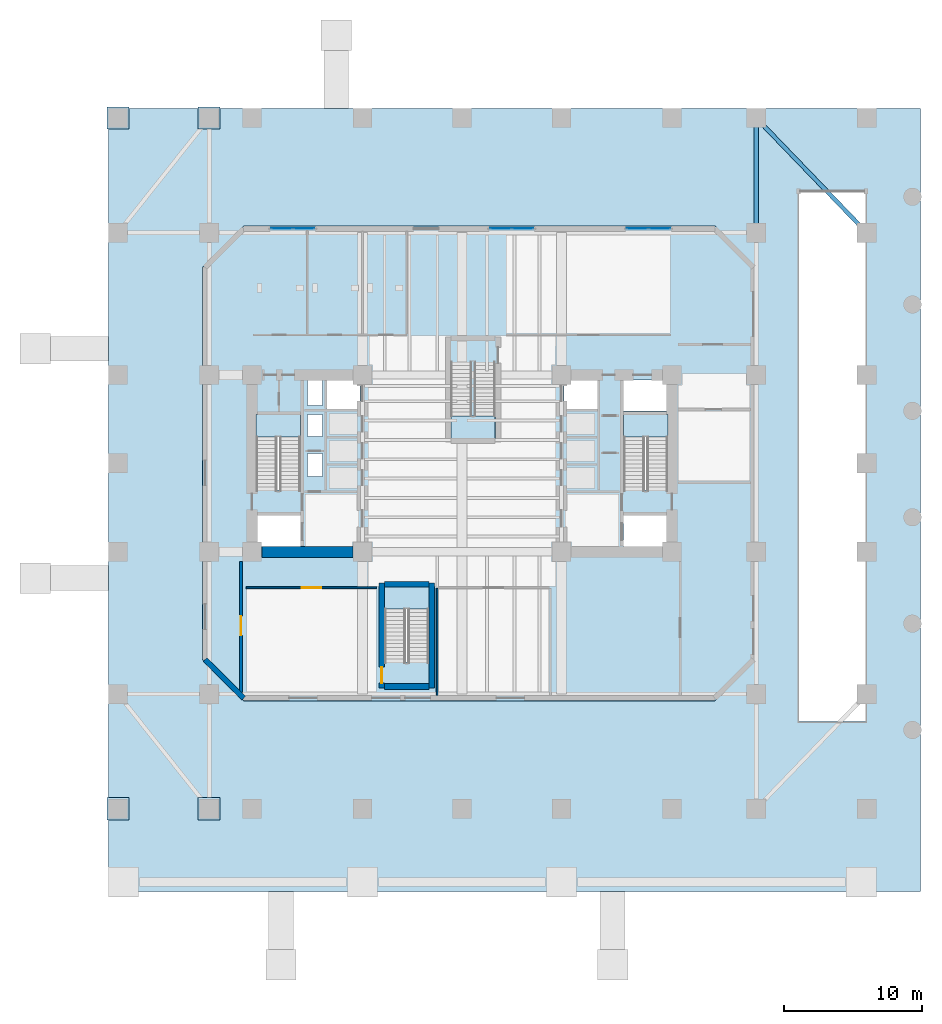
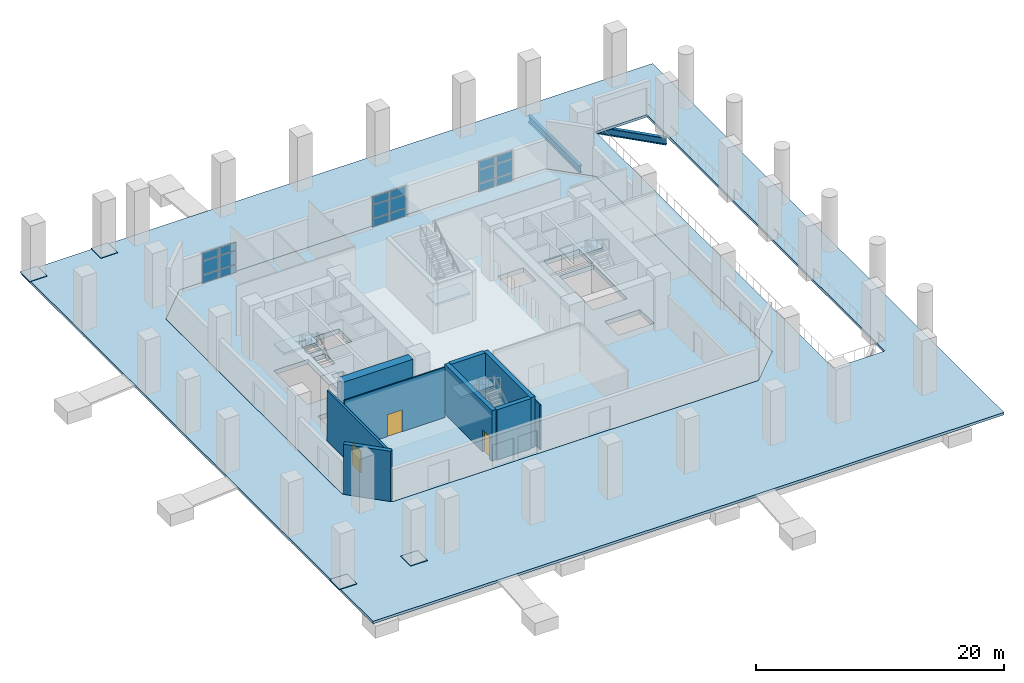
# One storey, part 3 of 12: 22 plates, 9 walls, 6 slabs, 3 doors, 2 beams, 3 openings, 7 elements without a shape of their own.
"""IFC4 building model written with IfcOpenShell, lengths in metres."""

from ifc_helpers import new_model, si_unit, direction, frame, frame_2d, origin, origin_2d, place, context, subcontext, project, spatial, polyline, rectangle, i_section, outline, extrude, material, layer, layer_set, material_profile, profile_set, type_object, element, fill, aggregate, save


model = new_model("IFC4")

# Units and contexts
model_context = context("Model", 3, precision=1e-05, world=origin(), true_north=direction((0.0, 1.0)))
body_context = subcontext(model_context, "Body", "Model", "MODEL_VIEW")
ifc_project = project(units=[si_unit("LENGTHUNIT", "METRE"), si_unit("AREAUNIT", "SQUARE_METRE"), si_unit("VOLUMEUNIT", "CUBIC_METRE"), si_unit("PLANEANGLEUNIT", "RADIAN"), si_unit("MASSUNIT", "GRAM", prefix="KILO")], contexts=[model_context])

# Site, building, storey
site_placement = place(None, origin())
site = spatial("IfcSite", under=ifc_project, at=site_placement, CompositionType="ELEMENT")
building_placement = place(site_placement, origin())
building = spatial("IfcBuilding", under=site, at=building_placement, Name="Kranthara Brick Stack", CompositionType="ELEMENT")
storey_placement = place(building_placement, origin())
storey = spatial("IfcBuildingStorey", under=building, at=storey_placement, Name="L00", CompositionType="ELEMENT", Elevation=0.0)

# Beams
ifc_material_1 = material(Name="Steel S355", Category="steel")
ifc_material_profile = material_profile(ifc_material_1, i_section(OverallWidth=0.300048828125, OverallDepth=0.699951171875, WebThickness=0.01708984375, FlangeThickness=0.031982421875, at=origin_2d()), Name="HEB 700")
ifc_profile_set = profile_set([ifc_material_profile], Name="Steel S355")
beam_type = type_object("IfcBeamType", Name="BM-STL-HEB700", PredefinedType="BEAM", material=ifc_profile_set)
beam_1_placement = place(storey_placement, frame((49.300048828125, 43.89990234375, -0.800048828125), z_axis=(0.0, 1.0, 0.0), x_axis=(-1.0, 0.0, 0.0)))
element("IfcBeam", 1, at=beam_1_placement, inside=storey, type_object=beam_type, Name="L00 Perimeter Spandrel Beam 018", PredefinedType="BEAM", context=body_context, shape_type="SweptSolid", body=[
    extrude(i_section(OverallWidth=0.300048828125, OverallDepth=0.699951171875, WebThickness=0.01708984375, FlangeThickness=0.031982421875, at=origin_2d()), origin(), (0.0, 0.0, 1.0), 8.300048828125),
])
beam_2_placement = place(storey_placement, frame((57.300048828125, 43.89990234375, -0.800048828125), z_axis=(-0.693972900726, 0.720001120178, 0.0), x_axis=(-0.720001120178, -0.693972900726, 0.0)))
element("IfcBeam", 2, at=beam_2_placement, inside=storey, type_object=beam_type, Name="L00 Chamfer Corner Spandrel 022", PredefinedType="BEAM", context=body_context, shape_type="SweptSolid", body=[
    extrude(i_section(OverallWidth=0.300048828125, OverallDepth=0.699951171875, WebThickness=0.01708984375, FlangeThickness=0.031982421875, at=origin_2d()), origin(), (0.0, 0.0, 1.0), 11.52783203125),
])

# Curtain wall, plates
ifc_material_2 = material(Name="Bronze anodised aluminium and low-E glass", Category="aluminium")
ifc_layer_1 = layer(ifc_material_2, 0.25)
ifc_layer_set_1 = layer_set([ifc_layer_1], Name="Bronze anodised aluminium and low-E glass")
curtain_wall_type = type_object("IfcCurtainWallType", Name="CW-SYS1-CONCOURSE", PredefinedType="USERDEFINED", material=ifc_layer_set_1)
curtain_wall_1_placement = place(storey_placement, origin())
curtain_wall_1 = element("IfcCurtainWall", 3, at=curtain_wall_1_placement, inside=storey, type_object=curtain_wall_type, Name="L00 Curtain Wall CW1-L00-01", ObjectType="UNITISED CURTAIN WALL", PredefinedType="USERDEFINED")
ifc_material_3 = material(Name="Triple-laminated acoustic low-E glass", Category="glass")
ifc_layer_2 = layer(ifc_material_3, 0.035888671875)
ifc_layer_set_2 = layer_set([ifc_layer_2], Name="Triple-laminated acoustic low-E glass")
plate_type_1 = type_object("IfcPlateType", Name="CWP-GLZ-36", PredefinedType="CURTAIN_PANEL", material=ifc_layer_set_2)
plate_1_placement = place(storey_placement, frame((14.945068359375, 44.18994140625, 0.080078125), z_axis=(0.0, 0.0, 1.0), x_axis=(1.0, 0.0, 0.0)))
plate_1 = element("IfcPlate", 4, at=plate_1_placement, type_object=plate_type_1, Name="CW panel 1.1", PredefinedType="CURTAIN_PANEL", context=body_context, shape_type="SweptSolid", body=[
    extrude(rectangle(XDim=1.530029296875, YDim=0.035888671875, at=origin_2d()), origin(), (0.0, 0.0, 1.0), 0.7578125),
])
plate_2_placement = place(storey_placement, frame((14.945068359375, 44.18994140625, 0.917724609375), z_axis=(0.0, 0.0, 1.0), x_axis=(1.0, 0.0, 0.0)))
plate_2 = element("IfcPlate", 5, at=plate_2_placement, type_object=plate_type_1, Name="CW panel 1.2", PredefinedType="CURTAIN_PANEL", context=body_context, shape_type="SweptSolid", body=[
    extrude(rectangle(XDim=1.530029296875, YDim=0.035888671875, at=origin_2d()), origin(), (0.0, 0.0, 1.0), 1.29931640625),
])
plate_3_placement = place(storey_placement, frame((14.945068359375, 44.18994140625, 2.297119140625), z_axis=(0.0, 0.0, 1.0), x_axis=(1.0, 0.0, 0.0)))
plate_3 = element("IfcPlate", 6, at=plate_3_placement, type_object=plate_type_1, Name="CW panel 1.3", PredefinedType="CURTAIN_PANEL", context=body_context, shape_type="SweptSolid", body=[
    extrude(rectangle(XDim=1.530029296875, YDim=0.035888671875, at=origin_2d()), origin(), (0.0, 0.0, 1.0), 0.7578125),
])
plate_4_placement = place(storey_placement, frame((16.554931640625, 44.18994140625, 0.080078125), z_axis=(0.0, 0.0, 1.0), x_axis=(1.0, 0.0, 0.0)))
plate_4 = element("IfcPlate", 7, at=plate_4_placement, type_object=plate_type_1, Name="CW panel 2.1", PredefinedType="CURTAIN_PANEL", context=body_context, shape_type="SweptSolid", body=[
    extrude(rectangle(XDim=1.530029296875, YDim=0.035888671875, at=origin_2d()), origin(), (0.0, 0.0, 1.0), 0.7578125),
])
plate_5_placement = place(storey_placement, frame((16.554931640625, 44.18994140625, 0.917724609375), z_axis=(0.0, 0.0, 1.0), x_axis=(1.0, 0.0, 0.0)))
plate_5 = element("IfcPlate", 8, at=plate_5_placement, type_object=plate_type_1, Name="CW panel 2.2", PredefinedType="CURTAIN_PANEL", context=body_context, shape_type="SweptSolid", body=[
    extrude(rectangle(XDim=1.530029296875, YDim=0.035888671875, at=origin_2d()), origin(), (0.0, 0.0, 1.0), 1.29931640625),
])
plate_6_placement = place(storey_placement, frame((16.554931640625, 44.18994140625, 2.297119140625), z_axis=(0.0, 0.0, 1.0), x_axis=(1.0, 0.0, 0.0)))
plate_6 = element("IfcPlate", 9, at=plate_6_placement, type_object=plate_type_1, Name="CW panel 2.3", PredefinedType="CURTAIN_PANEL", context=body_context, shape_type="SweptSolid", body=[
    extrude(rectangle(XDim=1.530029296875, YDim=0.035888671875, at=origin_2d()), origin(), (0.0, 0.0, 1.0), 0.7578125),
])
aggregate(curtain_wall_1, [plate_1, plate_2, plate_3, plate_4, plate_5, plate_6])

curtain_wall_2_placement = place(storey_placement, origin())
curtain_wall_2 = element("IfcCurtainWall", 10, at=curtain_wall_2_placement, inside=storey, type_object=curtain_wall_type, Name="L00 Curtain Wall CW1-L00-02", ObjectType="UNITISED CURTAIN WALL", PredefinedType="USERDEFINED")
plate_7_placement = place(storey_placement, frame((30.794921875, 44.18994140625, 0.080078125), z_axis=(0.0, 0.0, 1.0), x_axis=(1.0, 0.0, 0.0)))
plate_7 = element("IfcPlate", 11, at=plate_7_placement, type_object=plate_type_1, Name="CW panel 1.1", PredefinedType="CURTAIN_PANEL", context=body_context, shape_type="SweptSolid", body=[
    extrude(rectangle(XDim=1.530029296875, YDim=0.035888671875, at=origin_2d()), origin(), (0.0, 0.0, 1.0), 0.7578125),
])
plate_8_placement = place(storey_placement, frame((30.794921875, 44.18994140625, 0.917724609375), z_axis=(0.0, 0.0, 1.0), x_axis=(1.0, 0.0, 0.0)))
plate_8 = element("IfcPlate", 12, at=plate_8_placement, type_object=plate_type_1, Name="CW panel 1.2", PredefinedType="CURTAIN_PANEL", context=body_context, shape_type="SweptSolid", body=[
    extrude(rectangle(XDim=1.530029296875, YDim=0.035888671875, at=origin_2d()), origin(), (0.0, 0.0, 1.0), 1.29931640625),
])
plate_9_placement = place(storey_placement, frame((30.794921875, 44.18994140625, 2.297119140625), z_axis=(0.0, 0.0, 1.0), x_axis=(1.0, 0.0, 0.0)))
plate_9 = element("IfcPlate", 13, at=plate_9_placement, type_object=plate_type_1, Name="CW panel 1.3", PredefinedType="CURTAIN_PANEL", context=body_context, shape_type="SweptSolid", body=[
    extrude(rectangle(XDim=1.530029296875, YDim=0.035888671875, at=origin_2d()), origin(), (0.0, 0.0, 1.0), 0.7578125),
])
plate_10_placement = place(storey_placement, frame((32.405029296875, 44.18994140625, 0.080078125), z_axis=(0.0, 0.0, 1.0), x_axis=(1.0, 0.0, 0.0)))
plate_10 = element("IfcPlate", 14, at=plate_10_placement, type_object=plate_type_1, Name="CW panel 2.1", PredefinedType="CURTAIN_PANEL", context=body_context, shape_type="SweptSolid", body=[
    extrude(rectangle(XDim=1.530029296875, YDim=0.035888671875, at=origin_2d()), origin(), (0.0, 0.0, 1.0), 0.7578125),
])
plate_11_placement = place(storey_placement, frame((32.405029296875, 44.18994140625, 0.917724609375), z_axis=(0.0, 0.0, 1.0), x_axis=(1.0, 0.0, 0.0)))
plate_11 = element("IfcPlate", 15, at=plate_11_placement, type_object=plate_type_1, Name="CW panel 2.2", PredefinedType="CURTAIN_PANEL", context=body_context, shape_type="SweptSolid", body=[
    extrude(rectangle(XDim=1.530029296875, YDim=0.035888671875, at=origin_2d()), origin(), (0.0, 0.0, 1.0), 1.29931640625),
])
plate_12_placement = place(storey_placement, frame((32.405029296875, 44.18994140625, 2.297119140625), z_axis=(0.0, 0.0, 1.0), x_axis=(1.0, 0.0, 0.0)))
plate_12 = element("IfcPlate", 16, at=plate_12_placement, type_object=plate_type_1, Name="CW panel 2.3", PredefinedType="CURTAIN_PANEL", context=body_context, shape_type="SweptSolid", body=[
    extrude(rectangle(XDim=1.530029296875, YDim=0.035888671875, at=origin_2d()), origin(), (0.0, 0.0, 1.0), 0.7578125),
])
aggregate(curtain_wall_2, [plate_7, plate_8, plate_9, plate_10, plate_11, plate_12])

curtain_wall_3_placement = place(storey_placement, origin())
curtain_wall_3 = element("IfcCurtainWall", 17, at=curtain_wall_3_placement, inside=storey, type_object=curtain_wall_type, Name="L00 Curtain Wall CW1-L00-03", ObjectType="UNITISED CURTAIN WALL", PredefinedType="USERDEFINED")
plate_13_placement = place(storey_placement, frame((40.695068359375, 44.18994140625, 0.080078125), z_axis=(0.0, 0.0, 1.0), x_axis=(1.0, 0.0, 0.0)))
plate_13 = element("IfcPlate", 18, at=plate_13_placement, type_object=plate_type_1, Name="CW panel 1.1", PredefinedType="CURTAIN_PANEL", context=body_context, shape_type="SweptSolid", body=[
    extrude(rectangle(XDim=1.530029296875, YDim=0.035888671875, at=origin_2d()), origin(), (0.0, 0.0, 1.0), 0.7578125),
])
plate_14_placement = place(storey_placement, frame((40.695068359375, 44.18994140625, 0.917724609375), z_axis=(0.0, 0.0, 1.0), x_axis=(1.0, 0.0, 0.0)))
plate_14 = element("IfcPlate", 19, at=plate_14_placement, type_object=plate_type_1, Name="CW panel 1.2", PredefinedType="CURTAIN_PANEL", context=body_context, shape_type="SweptSolid", body=[
    extrude(rectangle(XDim=1.530029296875, YDim=0.035888671875, at=origin_2d()), origin(), (0.0, 0.0, 1.0), 1.29931640625),
])
plate_15_placement = place(storey_placement, frame((40.695068359375, 44.18994140625, 2.297119140625), z_axis=(0.0, 0.0, 1.0), x_axis=(1.0, 0.0, 0.0)))
plate_15 = element("IfcPlate", 20, at=plate_15_placement, type_object=plate_type_1, Name="CW panel 1.3", PredefinedType="CURTAIN_PANEL", context=body_context, shape_type="SweptSolid", body=[
    extrude(rectangle(XDim=1.530029296875, YDim=0.035888671875, at=origin_2d()), origin(), (0.0, 0.0, 1.0), 0.7578125),
])
plate_16_placement = place(storey_placement, frame((42.304931640625, 44.18994140625, 0.080078125), z_axis=(0.0, 0.0, 1.0), x_axis=(1.0, 0.0, 0.0)))
plate_16 = element("IfcPlate", 21, at=plate_16_placement, type_object=plate_type_1, Name="CW panel 2.1", PredefinedType="CURTAIN_PANEL", context=body_context, shape_type="SweptSolid", body=[
    extrude(rectangle(XDim=1.530029296875, YDim=0.035888671875, at=origin_2d()), origin(), (0.0, 0.0, 1.0), 0.7578125),
])
plate_17_placement = place(storey_placement, frame((42.304931640625, 44.18994140625, 0.917724609375), z_axis=(0.0, 0.0, 1.0), x_axis=(1.0, 0.0, 0.0)))
plate_17 = element("IfcPlate", 22, at=plate_17_placement, type_object=plate_type_1, Name="CW panel 2.2", PredefinedType="CURTAIN_PANEL", context=body_context, shape_type="SweptSolid", body=[
    extrude(rectangle(XDim=1.530029296875, YDim=0.035888671875, at=origin_2d()), origin(), (0.0, 0.0, 1.0), 1.29931640625),
])
plate_18_placement = place(storey_placement, frame((42.304931640625, 44.18994140625, 2.297119140625), z_axis=(0.0, 0.0, 1.0), x_axis=(1.0, 0.0, 0.0)))
plate_18 = element("IfcPlate", 23, at=plate_18_placement, type_object=plate_type_1, Name="CW panel 2.3", PredefinedType="CURTAIN_PANEL", context=body_context, shape_type="SweptSolid", body=[
    extrude(rectangle(XDim=1.530029296875, YDim=0.035888671875, at=origin_2d()), origin(), (0.0, 0.0, 1.0), 0.7578125),
])
aggregate(curtain_wall_3, [plate_13, plate_14, plate_15, plate_16, plate_17, plate_18])

# Plates
ifc_material_4 = material(Name="Steel S355", Category="steel")
ifc_layer_3 = layer(ifc_material_4, 0.034912109375)
ifc_layer_set_3 = layer_set([ifc_layer_3], Name="Steel S355")
plate_type_2 = type_object("IfcPlateType", Name="PLT-BASE-35", PredefinedType="USERDEFINED", material=ifc_layer_set_3)
for number, where, z_axis, x_axis, name in (
    (24, (3.10009765625, 2.199951171875, 0.0), (0.0, 0.0, 1.0), (1.0, 0.0, 0.0), "L00 Mega-Stilt Base Plate 09"),
    (25, (3.10009765625, 52.199951171875, 0.0), (0.0, 0.0, 1.0), (1.0, 0.0, 0.0), "L00 Mega-Stilt Base Plate 10"),
    (26, (9.699951171875, 2.199951171875, 0.0), (0.0, 0.0, 1.0), (1.0, 0.0, 0.0), "L00 Mega-Stilt Base Plate 11"),
    (27, (9.699951171875, 52.199951171875, 0.0), (0.0, 0.0, 1.0), (1.0, 0.0, 0.0), "L00 Mega-Stilt Base Plate 12"),
):
    element("IfcPlate", number, at=place(storey_placement, frame(where, z_axis=z_axis, x_axis=x_axis)), inside=storey, type_object=plate_type_2, Name=name, ObjectType="BASE PLATE", PredefinedType="USERDEFINED", context=body_context, shape_type="SweptSolid", body=[
        extrude(rectangle(XDim=1.60009765625, YDim=1.60009765625, at=origin_2d()), origin(), (0.0, 0.0, 1.0), 0.034912109375),
    ])

# Stair, slab
ifc_material_5 = material(Name="Concrete C45/55", Category="concrete")
stair_type = type_object("IfcStairType", Name="ST-CORE-30R", PredefinedType="HALF_TURN_STAIR", material=ifc_material_5)
stair_1_placement = place(storey_placement, origin())
stair_1 = element("IfcStair", 28, at=stair_1_placement, inside=storey, type_object=stair_type, Name="L00 West Core Protected Exit Stair ST01", PredefinedType="HALF_TURN_STAIR")
ifc_material_6 = material(Name="Concrete C45/55", Category="concrete")
ifc_layer_4 = layer(ifc_material_6, 0.199951171875)
ifc_layer_set_4 = layer_set([ifc_layer_4], Name="Concrete C45/55")
slab_type_1 = type_object("IfcSlabType", Name="SLB-LANDING-200", PredefinedType="LANDING", material=ifc_layer_set_4)
slab_1_placement = place(storey_placement, frame((0.0, 0.0, 2.5)))
slab_1 = element("IfcSlab", 29, at=slab_1_placement, type_object=slab_type_1, Name="ST01 landing 1", PredefinedType="LANDING", context=body_context, shape_type="SweptSolid", body=[
    extrude(outline(polyline([(16.300048828125, 29.1201171875), (16.300048828125, 30.75), (13.10009765625, 30.75), (13.10009765625, 29.1201171875), (16.300048828125, 29.1201171875)])), origin(), (0.0, 0.0, 1.0), 0.199951171875),
])
aggregate(stair_1, [slab_1])

stair_2_placement = place(storey_placement, origin())
stair_2 = element("IfcStair", 30, at=stair_2_placement, inside=storey, type_object=stair_type, Name="L00 East Core Protected Exit Stair ST02", PredefinedType="HALF_TURN_STAIR")
slab_2_placement = place(storey_placement, frame((0.0, 0.0, 2.5)))
slab_2 = element("IfcSlab", 31, at=slab_2_placement, type_object=slab_type_1, Name="ST02 landing 1", PredefinedType="LANDING", context=body_context, shape_type="SweptSolid", body=[
    extrude(outline(polyline([(42.89990234375, 29.1201171875), (42.89990234375, 30.75), (39.699951171875, 30.75), (39.699951171875, 29.1201171875), (42.89990234375, 29.1201171875)])), origin(), (0.0, 0.0, 1.0), 0.199951171875),
])
aggregate(stair_2, [slab_2])

stair_3_placement = place(storey_placement, origin())
stair_3 = element("IfcStair", 32, at=stair_3_placement, inside=storey, type_object=stair_type, Name="L00 Podium South Protected Exit Stair ST03", PredefinedType="HALF_TURN_STAIR")
slab_3_placement = place(storey_placement, frame((0.0, 0.0, 2.5)))
slab_3 = element("IfcSlab", 33, at=slab_3_placement, type_object=slab_type_1, Name="ST03 landing 1", PredefinedType="LANDING", context=body_context, shape_type="SweptSolid", body=[
    extrude(outline(polyline([(25.60009765625, 16.669921875), (25.60009765625, 18.300048828125), (22.39990234375, 18.300048828125), (22.39990234375, 16.669921875), (25.60009765625, 16.669921875)])), origin(), (0.0, 0.0, 1.0), 0.199951171875),
])
aggregate(stair_3, [slab_3])

stair_4_placement = place(storey_placement, origin())
stair_4 = element("IfcStair", 34, at=stair_4_placement, inside=storey, type_object=stair_type, Name="L00 Podium North Protected Exit Stair ST04", PredefinedType="HALF_TURN_STAIR")
slab_4_placement = place(storey_placement, frame((0.0, 0.0, 2.5)))
slab_4 = element("IfcSlab", 35, at=slab_4_placement, type_object=slab_type_1, Name="ST04 landing 1", PredefinedType="LANDING", context=body_context, shape_type="SweptSolid", body=[
    extrude(outline(polyline([(27.199951171875, 30.6298828125), (27.199951171875, 29.0), (30.39990234375, 29.0), (30.39990234375, 30.6298828125), (27.199951171875, 30.6298828125)])), origin(), (0.0, 0.0, 1.0), 0.199951171875),
])
aggregate(stair_4, [slab_4])

# Slabs
ifc_material_7 = material(Name="Concrete C40/50", Category="concrete")
ifc_layer_5 = layer(ifc_material_7, 0.25)
ifc_layer_set_5 = layer_set([ifc_layer_5], Name="Concrete C40/50")
slab_type_2 = type_object("IfcSlabType", Name="SLB-PLAZA-250", PredefinedType="BASESLAB", material=ifc_layer_set_5)
slab_5_placement = place(storey_placement, frame((0.0, 0.0, -0.25)))
element("IfcSlab", 36, at=slab_5_placement, inside=storey, type_object=slab_type_2, Name="L00 Open Stilts Public Plaza Slab", PredefinedType="BASESLAB", context=body_context, shape_type="SweptSolid", body=[
    extrude(outline(polyline([(2.39990234375, -3.800048828125), (61.199951171875, -3.800048828125), (61.199951171875, 52.89990234375), (2.39990234375, 52.89990234375), (2.39990234375, -3.800048828125)]), holes=[polyline([(12.199951171875, 10.0), (46.300048828125, 10.0), (49.300048828125, 13.0), (49.300048828125, 41.39990234375), (46.300048828125, 44.39990234375), (12.199951171875, 44.39990234375), (9.199951171875, 41.39990234375), (9.199951171875, 13.0), (12.199951171875, 10.0)]), polyline([(52.39990234375, 8.5), (57.199951171875, 8.5), (57.199951171875, 46.89990234375), (52.39990234375, 46.89990234375), (52.39990234375, 8.5)])]), origin(), (0.0, 0.0, 1.0), 0.25),
])
ifc_material_8 = material(Name="Post-tensioned concrete C50/60", Category="concrete")
ifc_layer_6 = layer(ifc_material_8, 0.449951171875)
ifc_layer_set_6 = layer_set([ifc_layer_6], Name="Post-tensioned concrete C50/60")
slab_type_3 = type_object("IfcSlabType", Name="SLB-TRANS-450", PredefinedType="FLOOR", material=ifc_layer_set_6)
slab_6_placement = place(storey_placement, frame((0.0, 0.0, -0.449951171875)))
element("IfcSlab", 37, at=slab_6_placement, inside=storey, type_object=slab_type_3, Name="L00 Structural Floor Plate", PredefinedType="FLOOR", context=body_context, shape_type="SweptSolid", body=[
    extrude(outline(polyline([(12.199951171875, 10.0), (46.300048828125, 10.0), (49.300048828125, 13.0), (49.300048828125, 41.39990234375), (46.300048828125, 44.39990234375), (12.199951171875, 44.39990234375), (9.199951171875, 41.39990234375), (9.199951171875, 13.0), (12.199951171875, 10.0)]), holes=[polyline([(13.10009765625, 25.280029296875), (16.300048828125, 25.280029296875), (16.300048828125, 30.75), (13.10009765625, 30.75), (13.10009765625, 25.280029296875)]), polyline([(39.699951171875, 25.280029296875), (42.89990234375, 25.280029296875), (42.89990234375, 30.75), (39.699951171875, 30.75), (39.699951171875, 25.280029296875)]), polyline([(22.39990234375, 12.830078125), (25.60009765625, 12.830078125), (25.60009765625, 18.300048828125), (22.39990234375, 18.300048828125), (22.39990234375, 12.830078125)]), polyline([(13.0, 21.179931640625), (16.320068359375, 21.179931640625), (16.320068359375, 23.419921875), (13.0, 23.419921875), (13.0, 21.179931640625)]), polyline([(39.679931640625, 21.179931640625), (43.0, 21.179931640625), (43.0, 23.419921875), (39.679931640625, 23.419921875), (39.679931640625, 21.179931640625)]), polyline([(39.679931640625, 30.97998046875), (43.0, 30.97998046875), (43.0, 33.219970703125), (39.679931640625, 33.219970703125), (39.679931640625, 30.97998046875)]), polyline([(18.199951171875, 31.14990234375), (20.60009765625, 31.14990234375), (20.60009765625, 33.219970703125), (18.199951171875, 33.219970703125), (18.199951171875, 31.14990234375)]), polyline([(35.39990234375, 31.14990234375), (37.800048828125, 31.14990234375), (37.800048828125, 33.219970703125), (35.39990234375, 33.219970703125), (35.39990234375, 31.14990234375)]), polyline([(16.800048828125, 26.25), (17.89990234375, 26.25), (17.89990234375, 27.89990234375), (16.800048828125, 27.89990234375), (16.800048828125, 26.25)]), polyline([(16.800048828125, 29.14990234375), (17.89990234375, 29.14990234375), (17.89990234375, 30.75), (16.800048828125, 30.75), (16.800048828125, 29.14990234375)]), polyline([(16.800048828125, 31.39990234375), (17.89990234375, 31.39990234375), (17.89990234375, 33.25), (16.800048828125, 33.25), (16.800048828125, 31.39990234375)])]), origin(), (0.0, 0.0, 1.0), 0.449951171875),
])

# Wall
ifc_material_9 = material(Name="Kiln-fired clay brick masonry M15", Category="masonry")
ifc_layer_7 = layer(ifc_material_9, 0.3798828125)
ifc_layer_set_7 = layer_set([ifc_layer_7], Name="Kiln-fired clay brick masonry M15")
wall_type_1 = type_object("IfcWallType", Name="WL-BRK-PIER-380", PredefinedType="STANDARD", material=ifc_layer_set_7)
wall_1_placement = place(storey_placement, frame((12.199951171875, 10.2099609375, 0.0), z_axis=(0.0, 0.0, 1.0), x_axis=(-0.707106781187, 0.707106781187, 0.0)))
element("IfcWall", 38, at=wall_1_placement, inside=storey, type_object=wall_type_1, Name="L00 Exterior Brick Facade Wall SW 1", PredefinedType="STANDARD", context=body_context, shape_type="SweptSolid", body=[
    extrude(rectangle(XDim=3.94580078125, YDim=0.3798828125, at=frame_2d((1.972900390625, 0.0))), origin(), (0.0, 0.0, 1.0), 4.949951171875),
])

# Wall, opening, door
ifc_material_10 = material(Name="Concrete C50/60", Category="concrete")
ifc_layer_8 = layer(ifc_material_10, 0.39990234375)
ifc_layer_set_8 = layer_set([ifc_layer_8], Name="Concrete C50/60")
wall_type_2 = type_object("IfcWallType", Name="WL-CORE-400", PredefinedType="SHEAR", material=ifc_layer_set_8)
wall_2_placement = place(storey_placement, frame((22.18994140625, 10.949951171875, 0.0), z_axis=(0.0, 0.0, 1.0), x_axis=(0.0, 1.0, 0.0)))
wall_2 = element("IfcWall", 39, at=wall_2_placement, inside=storey, type_object=wall_type_2, Name="L00 Stair ST03 Bearing Wall W", PredefinedType="SHEAR", context=body_context, shape_type="SweptSolid", body=[
    extrude(rectangle(XDim=7.60009765625, YDim=0.39990234375, at=frame_2d((3.800048828125, 0.0))), origin(), (0.0, 0.0, 1.0), 4.949951171875),
])
opening_1_placement = place(wall_2_placement, frame((0.35009765625, 0.0, 0.0)))
opening_1 = element("IfcOpeningElement", 40, at=opening_1_placement, cuts=wall_2, Name="Opening D05", PredefinedType="OPENING", context=body_context, shape_type="SweptSolid", body=[
    extrude(rectangle(XDim=1.14990234375, YDim=2.14990234375, at=frame_2d((0.574951171875, 1.074951171875))), frame((0.0, 0.2099609375, 0.0), z_axis=(0.0, -1.0, 0.0), x_axis=(1.0, 0.0, 0.0)), (0.0, 0.0, 1.0), 0.419921875),
])
ifc_material_11 = material(Name="Solid-core hardwood timber leaf in steel frame", Category="steel")
door_type_1 = type_object("IfcDoorType", Name="DR-ST-1150", OperationType="NOTDEFINED", PredefinedType="DOOR", material=ifc_material_11)
door_1_placement = place(opening_1_placement, origin())
door_1 = element("IfcDoor", 41, at=door_1_placement, inside=storey, type_object=door_type_1, Name="L00 Stair ST03 Door", OperationType="SINGLE_SWING_LEFT", OverallHeight=2.14990234375, OverallWidth=1.14990234375, PredefinedType="DOOR", context=body_context, shape_type="SweptSolid", body=[
    extrude(rectangle(XDim=1.14990234375, YDim=2.14990234375, at=frame_2d((0.574951171875, 1.074951171875))), frame((0.0, 0.02490234375, 0.0), z_axis=(0.0, -1.0, 0.0), x_axis=(1.0, 0.0, 0.0)), (0.0, 0.0, 1.0), 0.050048828125),
])
fill(opening_1, door_1)

# Walls
wall_3_placement = place(storey_placement, frame((25.81005859375, 10.949951171875, 0.0), z_axis=(0.0, 0.0, 1.0), x_axis=(0.0, 1.0, 0.0)))
element("IfcWall", 42, at=wall_3_placement, inside=storey, type_object=wall_type_2, Name="L00 Stair ST03 Bearing Wall E", PredefinedType="SHEAR", context=body_context, shape_type="SweptSolid", body=[
    extrude(rectangle(XDim=7.60009765625, YDim=0.39990234375, at=frame_2d((3.800048828125, 0.0))), origin(), (0.0, 0.0, 1.0), 4.949951171875),
])
for number, where, z_axis, x_axis, name in (
    (43, (22.39990234375, 11.050048828125, 0.0), (0.0, 0.0, 1.0), (1.0, 0.0, 0.0), "L00 Stair ST03 Bearing Wall S"),
    (44, (22.39990234375, 18.449951171875, 0.0), (0.0, 0.0, 1.0), (1.0, 0.0, 0.0), "L00 Stair ST03 Bearing Wall N"),
):
    element("IfcWall", number, at=place(storey_placement, frame(where, z_axis=z_axis, x_axis=x_axis)), inside=storey, type_object=wall_type_2, Name=name, PredefinedType="SHEAR", context=body_context, shape_type="SweptSolid", body=[
        extrude(rectangle(XDim=3.2001953125, YDim=0.39990234375, at=frame_2d((1.60009765625, 0.0))), origin(), (0.0, 0.0, 1.0), 4.949951171875),
    ])
ifc_material_12 = material(Name="Concrete C70/85", Category="concrete")
ifc_layer_9 = layer(ifc_material_12, 0.800048828125)
ifc_layer_set_9 = layer_set([ifc_layer_9], Name="Concrete C70/85")
wall_type_3 = type_object("IfcWallType", Name="WL-CORE-800", PredefinedType="SHEAR", material=ifc_layer_set_9)
wall_4_placement = place(storey_placement, frame((13.5048828125, 20.800048828125, 0.0), z_axis=(0.0, 0.0, 1.0), x_axis=(1.0, 0.0, 0.0)))
element("IfcWall", 45, at=wall_4_placement, inside=storey, type_object=wall_type_3, Name="L00 West Core Shear Wall South", PredefinedType="SHEAR", context=body_context, shape_type="SweptSolid", body=[
    extrude(rectangle(XDim=6.590087890625, YDim=0.800048828125, at=frame_2d((3.294921875, 0.0))), origin(), (0.0, 0.0, 1.0), 4.949951171875),
])
ifc_material_13 = material(Name="Acoustic gypsum plasterboard partition", Category="other")
ifc_layer_10 = layer(ifc_material_13, 0.1201171875)
ifc_layer_set_10 = layer_set([ifc_layer_10], Name="Acoustic gypsum plasterboard partition")
wall_type_4 = type_object("IfcWallType", Name="WL-PART-120", PredefinedType="PARTITIONING", material=ifc_layer_set_10)
wall_5_placement = place(storey_placement, frame((26.199951171875, 10.405029296875, 0.0), z_axis=(0.0, 0.0, 1.0), x_axis=(0.0, 1.0, 0.0)))
element("IfcWall", 46, at=wall_5_placement, inside=storey, type_object=wall_type_4, Name="L00 Interior Partition 010", PredefinedType="PARTITIONING", context=body_context, shape_type="SweptSolid", body=[
    extrude(rectangle(XDim=7.744873046875, YDim=0.1201171875, at=frame_2d((3.87255859375, 0.0))), origin(), (0.0, 0.0, 1.0), 4.385009765625),
])

# Wall, opening, door
wall_6_placement = place(storey_placement, frame((12.39990234375, 18.199951171875, 0.0), z_axis=(0.0, 0.0, 1.0), x_axis=(1.0, 0.0, 0.0)))
wall_6 = element("IfcWall", 47, at=wall_6_placement, inside=storey, type_object=wall_type_4, Name="L00 Interior Partition 013", PredefinedType="PARTITIONING", context=body_context, shape_type="SweptSolid", body=[
    extrude(rectangle(XDim=9.400146484375, YDim=0.1201171875, at=frame_2d((4.7001953125, 0.0))), origin(), (0.0, 0.0, 1.0), 4.949951171875),
])
opening_2_placement = place(wall_6_placement, frame((4.0, 0.0, 0.0)))
opening_2 = element("IfcOpeningElement", 48, at=opening_2_placement, cuts=wall_6, Name="Opening D23", PredefinedType="OPENING", context=body_context, shape_type="SweptSolid", body=[
    extrude(rectangle(XDim=1.39990234375, YDim=2.14990234375, at=frame_2d((0.699951171875, 1.074951171875))), frame((0.0, 0.070068359375, 0.0), z_axis=(0.0, -1.0, 0.0), x_axis=(1.0, 0.0, 0.0)), (0.0, 0.0, 1.0), 0.14013671875),
])
ifc_material_14 = material(Name="Solid-core hardwood timber leaf in steel frame", Category="steel")
door_type_2 = type_object("IfcDoorType", Name="DR-DBL-1400U", OperationType="DOUBLE_DOOR_SINGLE_SWING", PredefinedType="DOOR", material=ifc_material_14)
door_2_placement = place(opening_2_placement, origin())
door_2 = element("IfcDoor", 49, at=door_2_placement, inside=storey, type_object=door_type_2, Name="L00 Retail Boutique Door 10", OperationType="DOUBLE_DOOR_SINGLE_SWING", OverallHeight=2.14990234375, OverallWidth=1.39990234375, PredefinedType="DOOR", context=body_context, shape_type="SweptSolid", body=[
    extrude(rectangle(XDim=1.39990234375, YDim=2.14990234375, at=frame_2d((0.699951171875, 1.074951171875))), frame((0.0, 0.02490234375, 0.0), z_axis=(0.0, -1.0, 0.0), x_axis=(1.0, 0.0, 0.0)), (0.0, 0.0, 1.0), 0.050048828125),
])
fill(opening_2, door_2)

ifc_material_15 = material(Name="Concrete C40/50", Category="concrete")
ifc_layer_11 = layer(ifc_material_15, 0.199951171875)
ifc_layer_set_11 = layer_set([ifc_layer_11], Name="Concrete C40/50")
wall_type_5 = type_object("IfcWallType", Name="WL-PART-200", PredefinedType="SOLIDWALL", material=ifc_layer_set_11)
wall_7_placement = place(storey_placement, frame((12.0, 10.550048828125, 0.0), z_axis=(0.0, 0.0, 1.0), x_axis=(0.0, 1.0, 0.0)))
wall_7 = element("IfcWall", 50, at=wall_7_placement, inside=storey, type_object=wall_type_5, Name="L00 Interior Partition 005", PredefinedType="SOLIDWALL", context=body_context, shape_type="SweptSolid", body=[
    extrude(rectangle(XDim=9.550048828125, YDim=0.199951171875, at=frame_2d((4.77490234375, 0.0))), origin(), (0.0, 0.0, 1.0), 4.949951171875),
])
opening_3_placement = place(wall_7_placement, frame((4.199951171875, 0.0, 0.0)))
opening_3 = element("IfcOpeningElement", 51, at=opening_3_placement, cuts=wall_7, Name="Opening D22", PredefinedType="OPENING", context=body_context, shape_type="SweptSolid", body=[
    extrude(rectangle(XDim=1.39990234375, YDim=2.14990234375, at=frame_2d((0.699951171875, 1.074951171875))), frame((0.0, 0.10986328125, 0.0), z_axis=(0.0, -1.0, 0.0), x_axis=(1.0, 0.0, 0.0)), (0.0, 0.0, 1.0), 0.219970703125),
])
ifc_material_16 = material(Name="Solid-core hardwood timber leaf in steel frame", Category="steel")
door_type_3 = type_object("IfcDoorType", Name="DR-FD-1400", OperationType="DOUBLE_DOOR_SINGLE_SWING", PredefinedType="DOOR", material=ifc_material_16)
door_3_placement = place(opening_3_placement, origin())
door_3 = element("IfcDoor", 52, at=door_3_placement, inside=storey, type_object=door_type_3, Name="L00 West Exit Passage Door 05", OperationType="DOUBLE_DOOR_SINGLE_SWING", OverallHeight=2.14990234375, OverallWidth=1.39990234375, PredefinedType="DOOR", context=body_context, shape_type="SweptSolid", body=[
    extrude(rectangle(XDim=1.39990234375, YDim=2.14990234375, at=frame_2d((0.699951171875, 1.074951171875))), frame((0.0, 0.02490234375, 0.0), z_axis=(0.0, -1.0, 0.0), x_axis=(1.0, 0.0, 0.0)), (0.0, 0.0, 1.0), 0.050048828125),
])
fill(opening_3, door_3)

save(model, "model.ifc")
